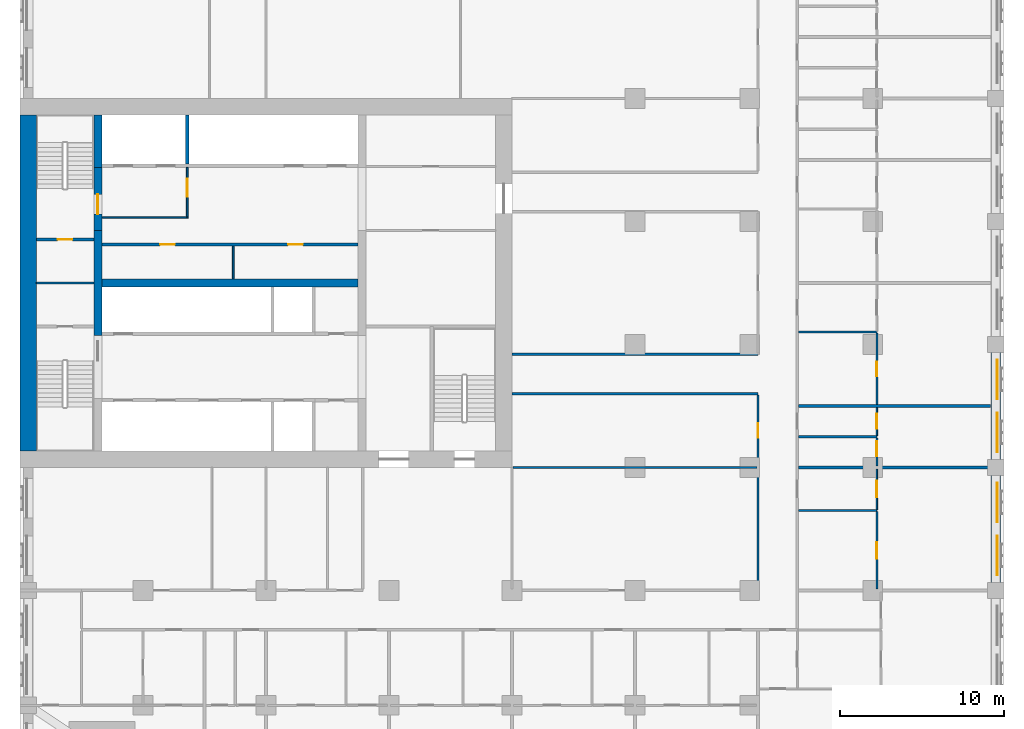
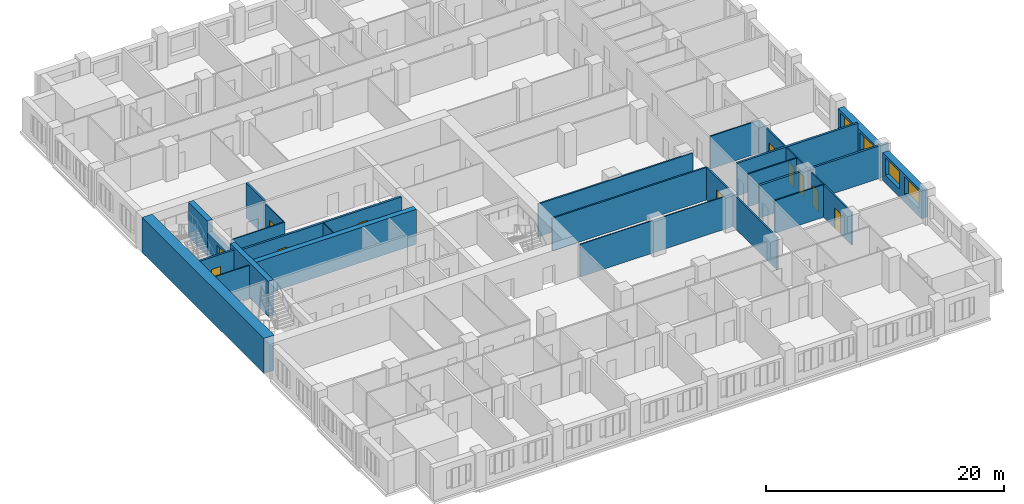
# One storey, part 7 of 14: 28 walls, 11 doors, 4 windows, 15 openings.
"""IFC4 building model written with IfcOpenShell, lengths in metres."""

from ifc_helpers import new_model, si_unit, direction, frame, frame_2d, origin, place, context, subcontext, project, spatial, rectangle, extrude, material, layer, layer_set, type_object, element, fill, save


model = new_model("IFC4")

# Units and contexts
model_context = context("Model", 3, precision=1e-05, world=origin(), true_north=direction((0.0, 1.0)))
body_context = subcontext(model_context, "Body", "Model", "MODEL_VIEW")
ifc_project = project(units=[si_unit("LENGTHUNIT", "METRE"), si_unit("AREAUNIT", "SQUARE_METRE"), si_unit("VOLUMEUNIT", "CUBIC_METRE"), si_unit("PLANEANGLEUNIT", "RADIAN"), si_unit("MASSUNIT", "GRAM", prefix="KILO")], contexts=[model_context])

# Site, building, storey
site_placement = place(None, origin())
site = spatial("IfcSite", under=ifc_project, at=site_placement, CompositionType="ELEMENT")
building_placement = place(site_placement, origin())
building = spatial("IfcBuilding", under=site, at=building_placement, Name="Tamorin Gate", CompositionType="ELEMENT")
storey_placement = place(building_placement, frame((0.0, 0.0, 44.800048828125)))
storey = spatial("IfcBuildingStorey", under=building, at=storey_placement, Name="L09", CompositionType="ELEMENT", Elevation=44.800048828125)

# Wall, openings, windows
ifc_material_1 = material(Name="Precast concrete C40/50", Category="concrete")
ifc_layer_1 = layer(ifc_material_1, 0.60009765625)
ifc_layer_set_1 = layer_set([ifc_layer_1], Name="Precast concrete C40/50")
wall_type_1 = type_object("IfcWallType", Name="Board-marked concrete facade panel 600", PredefinedType="SOLIDWALL", material=ifc_layer_set_1)
wall_1_placement = place(storey_placement, frame((89.5, 53.0, 0.0), z_axis=(0.0, 0.0, 1.0), x_axis=(0.0, 1.0, 0.0)))
wall_1 = element("IfcWall", 1, at=wall_1_placement, inside=storey, type_object=wall_type_1, Name="Facade panel", PredefinedType="SOLIDWALL", context=body_context, shape_type="SweptSolid", body=[
    extrude(rectangle(XDim=6.5, YDim=0.60009765625, at=frame_2d((3.25, 0.0))), origin(), (0.0, 0.0, 1.0), 2.849853515625),
])
opening_1_placement = place(wall_1_placement, frame((0.425048828125, 0.0, 0.800048828125)))
opening_1 = element("IfcOpeningElement", 2, at=opening_1_placement, cuts=wall_1, Name="Opening WN1", PredefinedType="OPENING", context=body_context, shape_type="SweptSolid", body=[
    extrude(rectangle(XDim=2.39990234375, YDim=1.800048828125, at=frame_2d((1.199951171875, 0.89990234375))), frame((0.0, 0.31005859375, 0.0), z_axis=(0.0, -1.0, 0.0), x_axis=(1.0, 0.0, 0.0)), (0.0, 0.0, 1.0), 0.6201171875),
])
opening_2_placement = place(wall_1_placement, frame((3.675048828125, 0.0, 0.800048828125)))
opening_2 = element("IfcOpeningElement", 3, at=opening_2_placement, cuts=wall_1, Name="Opening WN1", PredefinedType="OPENING", context=body_context, shape_type="SweptSolid", body=[
    extrude(rectangle(XDim=2.39990234375, YDim=1.800048828125, at=frame_2d((1.199951171875, 0.89990234375))), frame((0.0, 0.31005859375, 0.0), z_axis=(0.0, -1.0, 0.0), x_axis=(1.0, 0.0, 0.0)), (0.0, 0.0, 1.0), 0.6201171875),
])
ifc_material_2 = material(Name="Clear glass in aluminium frame", Category="aluminium")
window_type = type_object("IfcWindowType", Name="Deep-set window 2400x1800", PartitioningType="SINGLE_PANEL", PredefinedType="WINDOW", material=ifc_material_2)
window_1_placement = place(opening_1_placement, origin())
window_1 = element("IfcWindow", 4, at=window_1_placement, inside=storey, type_object=window_type, Name="Deep-set window", OverallHeight=1.800048828125, OverallWidth=2.39990234375, PartitioningType="SINGLE_PANEL", PredefinedType="WINDOW", context=body_context, shape_type="SweptSolid", body=[
    extrude(rectangle(XDim=2.39990234375, YDim=1.800048828125, at=frame_2d((1.199951171875, 0.89990234375))), frame((0.0, -0.070068359375, 0.0), z_axis=(0.0, -1.0, 0.0), x_axis=(1.0, 0.0, 0.0)), (0.0, 0.0, 1.0), 0.06005859375),
])
fill(opening_1, window_1)
window_2_placement = place(opening_2_placement, origin())
window_2 = element("IfcWindow", 5, at=window_2_placement, inside=storey, type_object=window_type, Name="Deep-set window", OverallHeight=1.800048828125, OverallWidth=2.39990234375, PartitioningType="SINGLE_PANEL", PredefinedType="WINDOW", context=body_context, shape_type="SweptSolid", body=[
    extrude(rectangle(XDim=2.39990234375, YDim=1.800048828125, at=frame_2d((1.199951171875, 0.89990234375))), frame((0.0, -0.070068359375, 0.0), z_axis=(0.0, -1.0, 0.0), x_axis=(1.0, 0.0, 0.0)), (0.0, 0.0, 1.0), 0.06005859375),
])
fill(opening_2, window_2)

wall_2_placement = place(storey_placement, frame((89.5, 60.5, 0.0), z_axis=(0.0, 0.0, 1.0), x_axis=(0.0, 1.0, 0.0)))
wall_2 = element("IfcWall", 6, at=wall_2_placement, inside=storey, type_object=wall_type_1, Name="Facade panel", PredefinedType="SOLIDWALL", context=body_context, shape_type="SweptSolid", body=[
    extrude(rectangle(XDim=6.5, YDim=0.60009765625, at=frame_2d((3.25, 0.0))), origin(), (0.0, 0.0, 1.0), 2.849853515625),
])
opening_3_placement = place(wall_2_placement, frame((0.425048828125, 0.0, 0.800048828125)))
opening_3 = element("IfcOpeningElement", 7, at=opening_3_placement, cuts=wall_2, Name="Opening WN1", PredefinedType="OPENING", context=body_context, shape_type="SweptSolid", body=[
    extrude(rectangle(XDim=2.39990234375, YDim=1.800048828125, at=frame_2d((1.199951171875, 0.89990234375))), frame((0.0, 0.31005859375, 0.0), z_axis=(0.0, -1.0, 0.0), x_axis=(1.0, 0.0, 0.0)), (0.0, 0.0, 1.0), 0.6201171875),
])
opening_4_placement = place(wall_2_placement, frame((3.675048828125, 0.0, 0.800048828125)))
opening_4 = element("IfcOpeningElement", 8, at=opening_4_placement, cuts=wall_2, Name="Opening WN1", PredefinedType="OPENING", context=body_context, shape_type="SweptSolid", body=[
    extrude(rectangle(XDim=2.39990234375, YDim=1.800048828125, at=frame_2d((1.199951171875, 0.89990234375))), frame((0.0, 0.31005859375, 0.0), z_axis=(0.0, -1.0, 0.0), x_axis=(1.0, 0.0, 0.0)), (0.0, 0.0, 1.0), 0.6201171875),
])
window_3_placement = place(opening_3_placement, origin())
window_3 = element("IfcWindow", 9, at=window_3_placement, inside=storey, type_object=window_type, Name="Deep-set window", OverallHeight=1.800048828125, OverallWidth=2.39990234375, PartitioningType="SINGLE_PANEL", PredefinedType="WINDOW", context=body_context, shape_type="SweptSolid", body=[
    extrude(rectangle(XDim=2.39990234375, YDim=1.800048828125, at=frame_2d((1.199951171875, 0.89990234375))), frame((0.0, -0.070068359375, 0.0), z_axis=(0.0, -1.0, 0.0), x_axis=(1.0, 0.0, 0.0)), (0.0, 0.0, 1.0), 0.06005859375),
])
fill(opening_3, window_3)
window_4_placement = place(opening_4_placement, origin())
window_4 = element("IfcWindow", 10, at=window_4_placement, inside=storey, type_object=window_type, Name="Deep-set window", OverallHeight=1.800048828125, OverallWidth=2.39990234375, PartitioningType="SINGLE_PANEL", PredefinedType="WINDOW", context=body_context, shape_type="SweptSolid", body=[
    extrude(rectangle(XDim=2.39990234375, YDim=1.800048828125, at=frame_2d((1.199951171875, 0.89990234375))), frame((0.0, -0.070068359375, 0.0), z_axis=(0.0, -1.0, 0.0), x_axis=(1.0, 0.0, 0.0)), (0.0, 0.0, 1.0), 0.06005859375),
])
fill(opening_4, window_4)

# Wall, opening, door
ifc_material_3 = material(Name="Gypsum board partition")
ifc_layer_2 = layer(ifc_material_3, 0.14990234375)
ifc_layer_set_2 = layer_set([ifc_layer_2], Name="Corridor wall 150")
wall_type_2 = type_object("IfcWallType", Name="Corridor wall 150", PredefinedType="PARTITIONING", material=ifc_layer_set_2)
wall_3_placement = place(storey_placement, frame((75.0, 52.574951171875, 0.0), z_axis=(0.0, 0.0, 1.0), x_axis=(0.0, 1.0, 0.0)))
wall_3 = element("IfcWall", 11, at=wall_3_placement, inside=storey, type_object=wall_type_2, Name="Corridor wall 150", PredefinedType="PARTITIONING", context=body_context, shape_type="SweptSolid", body=[
    extrude(rectangle(XDim=11.85009765625, YDim=0.14990234375, at=frame_2d((5.925048828125, 0.0))), origin(), (0.0, 0.0, 1.0), 3.349853515625),
])
opening_5_placement = place(wall_3_placement, frame((9.22509765625, 0.0, 0.0)))
opening_5 = element("IfcOpeningElement", 12, at=opening_5_placement, cuts=wall_3, Name="Opening DH4081", PredefinedType="OPENING", context=body_context, shape_type="SweptSolid", body=[
    extrude(rectangle(XDim=0.89990234375, YDim=2.10009765625, at=frame_2d((0.449951171875, 1.050048828125))), frame((0.0, 0.0849609375, 0.0), z_axis=(0.0, -1.0, 0.0), x_axis=(1.0, 0.0, 0.0)), (0.0, 0.0, 1.0), 0.169921875),
])
ifc_material_4 = material(Name="Timber door leaf", Category="wood")
door_type_1 = type_object("IfcDoorType", Name="Door 900 x 2100 FD30S", OperationType="NOTDEFINED", PredefinedType="DOOR", material=ifc_material_4)
door_1_placement = place(opening_5_placement, origin())
door_1 = element("IfcDoor", 13, at=door_1_placement, inside=storey, type_object=door_type_1, Name="Door DH4081", OperationType="SINGLE_SWING_LEFT", OverallHeight=2.10009765625, OverallWidth=0.89990234375, PredefinedType="DOOR", context=body_context, shape_type="SweptSolid", body=[
    extrude(rectangle(XDim=0.89990234375, YDim=2.10009765625, at=frame_2d((0.449951171875, 1.050048828125))), frame((0.0, 0.02490234375, 0.0), z_axis=(0.0, -1.0, 0.0), x_axis=(1.0, 0.0, 0.0)), (0.0, 0.0, 1.0), 0.050048828125),
])
fill(opening_5, door_1)

# Walls
ifc_layer_3 = layer(ifc_material_3, 0.199951171875)
ifc_layer_set_3 = layer_set([ifc_layer_3], Name="Demising wall 200")
wall_type_3 = type_object("IfcWallType", Name="Demising wall 200", PredefinedType="PARTITIONING", material=ifc_layer_set_3)
wall_4_placement = place(storey_placement, frame((77.47509765625, 60.0, 0.0), z_axis=(0.0, 0.0, 1.0), x_axis=(1.0, 0.0, 0.0)))
element("IfcWall", 14, at=wall_4_placement, inside=storey, type_object=wall_type_3, Name="Demising wall 200", PredefinedType="PARTITIONING", context=body_context, shape_type="SweptSolid", body=[
    extrude(rectangle(XDim=12.52490234375, YDim=0.199951171875, at=frame_2d((6.262451171875, 0.0))), origin(), (0.0, 0.0, 1.0), 3.349853515625),
])
wall_5_placement = place(storey_placement, frame((77.47509765625, 63.75, 0.0), z_axis=(0.0, 0.0, 1.0), x_axis=(1.0, 0.0, 0.0)))
element("IfcWall", 15, at=wall_5_placement, inside=storey, type_object=wall_type_3, Name="Demising wall 200", PredefinedType="PARTITIONING", context=body_context, shape_type="SweptSolid", body=[
    extrude(rectangle(XDim=11.71484375, YDim=0.199951171875, at=frame_2d((5.857421875, 0.0))), origin(), (0.0, 0.0, 1.0), 3.349853515625),
])
ifc_material_5 = material(Name="Concrete C32/40", Category="concrete")
ifc_layer_4 = layer(ifc_material_5, 0.199951171875)
ifc_layer_set_4 = layer_set([ifc_layer_4], Name="Lift shaft wall 200 EI 120")
wall_type_4 = type_object("IfcWallType", Name="Lift shaft wall 200 EI 120", PredefinedType="SOLIDWALL", material=ifc_layer_set_4)
wall_6_placement = place(storey_placement, frame((40.199951171875, 78.5, 0.0), z_axis=(0.0, 0.0, 1.0), x_axis=(0.0, 1.0, 0.0)))
element("IfcWall", 16, at=wall_6_placement, inside=storey, type_object=wall_type_4, Name="Lift shaft wall", PredefinedType="SOLIDWALL", context=body_context, shape_type="SweptSolid", body=[
    extrude(rectangle(XDim=3.0, YDim=0.199951171875, at=frame_2d((1.5, 0.0))), origin(), (0.0, 0.0, 1.0), 3.599853515625),
])
ifc_material_6 = material(Name="Fire-rated gypsum board partition")
ifc_layer_5 = layer(ifc_material_6, 0.10009765625)
ifc_layer_set_5 = layer_set([ifc_layer_5], Name="Lobby wall 100 EI 60")
wall_type_5 = type_object("IfcWallType", Name="Lobby wall 100 EI 60", PredefinedType="PARTITIONING", material=ifc_layer_set_5)
wall_7_placement = place(storey_placement, frame((35.0, 75.25, 0.0), z_axis=(0.0, 0.0, 1.0), x_axis=(1.0, 0.0, 0.0)))
element("IfcWall", 17, at=wall_7_placement, inside=storey, type_object=wall_type_5, Name="Firefighting lobby wall", PredefinedType="PARTITIONING", context=body_context, shape_type="SweptSolid", body=[
    extrude(rectangle(XDim=5.25, YDim=0.10009765625, at=frame_2d((2.625, 0.0))), origin(), (0.0, 0.0, 1.0), 3.349853515625),
])

# Wall, opening, door
wall_8_placement = place(storey_placement, frame((40.199951171875, 75.300048828125, 0.0), z_axis=(0.0, 0.0, 1.0), x_axis=(0.0, 1.0, 0.0)))
wall_8 = element("IfcWall", 18, at=wall_8_placement, inside=storey, type_object=wall_type_5, Name="Firefighting lobby wall", PredefinedType="PARTITIONING", context=body_context, shape_type="SweptSolid", body=[
    extrude(rectangle(XDim=3.0, YDim=0.10009765625, at=frame_2d((1.5, 0.0))), origin(), (0.0, 0.0, 1.0), 3.349853515625),
])
opening_6_placement = place(wall_8_placement, frame((1.199951171875, 0.0, 0.0)))
opening_6 = element("IfcOpeningElement", 19, at=opening_6_placement, cuts=wall_8, Name="Opening DF1", PredefinedType="OPENING", context=body_context, shape_type="SweptSolid", body=[
    extrude(rectangle(XDim=1.10009765625, YDim=2.10009765625, at=frame_2d((0.550048828125, 1.050048828125))), frame((0.0, 0.06005859375, 0.0), z_axis=(0.0, -1.0, 0.0), x_axis=(1.0, 0.0, 0.0)), (0.0, 0.0, 1.0), 0.1201171875),
])
ifc_material_7 = material(Name="Steel fire door", Category="steel")
door_type_2 = type_object("IfcDoorType", Name="Firefighting lobby door 1100 x 2100 EI 90", OperationType="SINGLE_SWING_LEFT", PredefinedType="DOOR", material=ifc_material_7)
door_2_placement = place(opening_6_placement, origin())
door_2 = element("IfcDoor", 20, at=door_2_placement, inside=storey, type_object=door_type_2, Name="Firefighting lobby door", OperationType="SINGLE_SWING_LEFT", OverallHeight=2.10009765625, OverallWidth=1.10009765625, PredefinedType="DOOR", context=body_context, shape_type="SweptSolid", body=[
    extrude(rectangle(XDim=1.10009765625, YDim=2.10009765625, at=frame_2d((0.550048828125, 1.050048828125))), frame((0.0, 0.02490234375, 0.0), z_axis=(0.0, -1.0, 0.0), x_axis=(1.0, 0.0, 0.0)), (0.0, 0.0, 1.0), 0.050048828125),
])
fill(opening_6, door_2)

# Walls
ifc_layer_6 = layer(ifc_material_3, 0.14990234375)
ifc_layer_set_6 = layer_set([ifc_layer_6], Name="Lobby wall 150")
wall_type_6 = type_object("IfcWallType", Name="Lobby wall 150", PredefinedType="PARTITIONING", material=ifc_layer_set_6)
for number, where, z_axis, x_axis, name in (
    (21, (60.0, 64.5, 0.0), (0.0, 0.0, 1.0), (1.0, 0.0, 0.0), "Lobby wall 150"),
    (22, (60.0, 66.89990234375, 0.0), (0.0, 0.0, 1.0), (1.0, 0.0, 0.0), "Lobby wall 150"),
):
    element("IfcWall", number, at=place(storey_placement, frame(where, z_axis=z_axis, x_axis=x_axis)), inside=storey, type_object=wall_type_6, Name=name, PredefinedType="PARTITIONING", context=body_context, shape_type="SweptSolid", body=[
        extrude(rectangle(XDim=15.0, YDim=0.14990234375, at=frame_2d((7.5, 0.0))), origin(), (0.0, 0.0, 1.0), 3.349853515625),
    ])
ifc_material_8 = material(Name="Concrete C80/95", Category="concrete")
ifc_layer_7 = layer(ifc_material_8, 0.5)
ifc_layer_set_7 = layer_set([ifc_layer_7], Name="RC core internal wall 500 C80/95")
wall_type_7 = type_object("IfcWallType", Name="RC core internal wall 500 C80/95", PredefinedType="SHEAR", material=ifc_layer_set_7)
wall_9_placement = place(storey_placement, frame((35.0, 71.25, 0.0), z_axis=(0.0, 0.0, 1.0), x_axis=(1.0, 0.0, 0.0)))
element("IfcWall", 23, at=wall_9_placement, inside=storey, type_object=wall_type_7, Name="Core spine wall L09", PredefinedType="SHEAR", context=body_context, shape_type="SweptSolid", body=[
    extrude(rectangle(XDim=15.60009765625, YDim=0.5, at=frame_2d((7.800048828125, 0.0))), origin(), (0.0, 0.0, 1.0), 3.599853515625),
])
wall_10_placement = place(storey_placement, frame((34.75, 68.050048828125, 0.0), z_axis=(0.0, 0.0, 1.0), x_axis=(0.0, 1.0, 0.0)))
element("IfcWall", 24, at=wall_10_placement, inside=storey, type_object=wall_type_7, Name="Core cross wall L09", PredefinedType="SHEAR", context=body_context, shape_type="SweptSolid", body=[
    extrude(rectangle(XDim=6.39990234375, YDim=0.5, at=frame_2d((3.199951171875, 0.0))), origin(), (0.0, 0.0, 1.0), 3.599853515625),
])
wall_11_placement = place(storey_placement, frame((34.75, 78.300048828125, 0.0), z_axis=(0.0, 0.0, 1.0), x_axis=(0.0, 1.0, 0.0)))
element("IfcWall", 25, at=wall_11_placement, inside=storey, type_object=wall_type_7, Name="Core cross wall L09", PredefinedType="SHEAR", context=body_context, shape_type="SweptSolid", body=[
    extrude(rectangle(XDim=3.199951171875, YDim=0.5, at=frame_2d((1.60009765625, 0.0))), origin(), (0.0, 0.0, 1.0), 3.599853515625),
])
ifc_layer_8 = layer(ifc_material_8, 1.0)
ifc_layer_set_8 = layer_set([ifc_layer_8], Name="RC core wall 1000 C80/95")
wall_type_8 = type_object("IfcWallType", Name="RC core wall 1000 C80/95", PredefinedType="SHEAR", material=ifc_layer_set_8)
wall_12_placement = place(storey_placement, frame((30.5, 61.0, 0.0), z_axis=(0.0, 0.0, 1.0), x_axis=(0.0, 1.0, 0.0)))
element("IfcWall", 26, at=wall_12_placement, inside=storey, type_object=wall_type_8, Name="Core wall L09", PredefinedType="SHEAR", context=body_context, shape_type="SweptSolid", body=[
    extrude(rectangle(XDim=20.5, YDim=1.0, at=frame_2d((10.25, 0.0))), origin(), (0.0, 0.0, 1.0), 3.599853515625),
])
ifc_layer_9 = layer(ifc_material_6, 0.10009765625)
ifc_layer_set_9 = layer_set([ifc_layer_9], Name="Riser partition 100 EI 120")
wall_type_9 = type_object("IfcWallType", Name="Riser partition 100 EI 120", PredefinedType="PARTITIONING", material=ifc_layer_set_9)
wall_13_placement = place(storey_placement, frame((31.0, 71.25, 0.0), z_axis=(0.0, 0.0, 1.0), x_axis=(1.0, 0.0, 0.0)))
element("IfcWall", 27, at=wall_13_placement, inside=storey, type_object=wall_type_9, Name="Riser partition", PredefinedType="PARTITIONING", context=body_context, shape_type="SweptSolid", body=[
    extrude(rectangle(XDim=3.5, YDim=0.10009765625, at=frame_2d((1.75, 0.0))), origin(), (0.0, 0.0, 1.0), 3.349853515625),
])
ifc_layer_10 = layer(ifc_material_3, 0.10009765625)
ifc_layer_set_10 = layer_set([ifc_layer_10], Name="Room partition 100")
wall_type_10 = type_object("IfcWallType", Name="Room partition 100", PredefinedType="PARTITIONING", material=ifc_layer_set_10)
wall_14_placement = place(storey_placement, frame((60.074951171875, 60.0, 0.0), z_axis=(0.0, 0.0, 1.0), x_axis=(1.0, 0.0, 0.0)))
element("IfcWall", 28, at=wall_14_placement, inside=storey, type_object=wall_type_10, Name="Room partition 100", PredefinedType="PARTITIONING", context=body_context, shape_type="SweptSolid", body=[
    extrude(rectangle(XDim=14.85009765625, YDim=0.10009765625, at=frame_2d((7.425048828125, 0.0))), origin(), (0.0, 0.0, 1.0), 3.349853515625),
])

# Wall, opening, door
wall_15_placement = place(storey_placement, frame((82.25, 57.4375, 0.0), z_axis=(0.0, 0.0, 1.0), x_axis=(0.0, 1.0, 0.0)))
wall_15 = element("IfcWall", 29, at=wall_15_placement, inside=storey, type_object=wall_type_10, Name="Room partition 100", PredefinedType="PARTITIONING", context=body_context, shape_type="SweptSolid", body=[
    extrude(rectangle(XDim=2.46240234375, YDim=0.10009765625, at=frame_2d((1.231201171875, 0.0))), origin(), (0.0, 0.0, 1.0), 3.349853515625),
])
opening_7_placement = place(wall_15_placement, frame((0.75, 0.0, 0.0)))
opening_7 = element("IfcOpeningElement", 30, at=opening_7_placement, cuts=wall_15, Name="Opening DH4041", PredefinedType="OPENING", context=body_context, shape_type="SweptSolid", body=[
    extrude(rectangle(XDim=1.0, YDim=2.10009765625, at=frame_2d((0.5, 1.050048828125))), frame((0.0, 0.06005859375, 0.0), z_axis=(0.0, -1.0, 0.0), x_axis=(1.0, 0.0, 0.0)), (0.0, 0.0, 1.0), 0.1201171875),
])
door_type_3 = type_object("IfcDoorType", Name="Door 1000 x 2100", OperationType="NOTDEFINED", PredefinedType="DOOR", material=ifc_material_4)
door_3_placement = place(opening_7_placement, origin())
door_3 = element("IfcDoor", 31, at=door_3_placement, inside=storey, type_object=door_type_3, Name="Door DH4041", OperationType="SINGLE_SWING_LEFT", OverallHeight=2.10009765625, OverallWidth=1.0, PredefinedType="DOOR", context=body_context, shape_type="SweptSolid", body=[
    extrude(rectangle(XDim=1.0, YDim=2.10009765625, at=frame_2d((0.5, 1.050048828125))), frame((0.0, 0.02490234375, 0.0), z_axis=(0.0, -1.0, 0.0), x_axis=(1.0, 0.0, 0.0)), (0.0, 0.0, 1.0), 0.050048828125),
])
fill(opening_7, door_3)

wall_16_placement = place(storey_placement, frame((82.25, 61.9375, 0.0), z_axis=(0.0, 0.0, 1.0), x_axis=(0.0, 1.0, 0.0)))
wall_16 = element("IfcWall", 32, at=wall_16_placement, inside=storey, type_object=wall_type_10, Name="Room partition 100", PredefinedType="PARTITIONING", context=body_context, shape_type="SweptSolid", body=[
    extrude(rectangle(XDim=1.71240234375, YDim=0.10009765625, at=frame_2d((0.856201171875, 0.0))), origin(), (0.0, 0.0, 1.0), 3.349853515625),
])
opening_8_placement = place(wall_16_placement, frame((0.425048828125, 0.0, 0.0)))
opening_8 = element("IfcOpeningElement", 33, at=opening_8_placement, cuts=wall_16, Name="Opening DH4044", PredefinedType="OPENING", context=body_context, shape_type="SweptSolid", body=[
    extrude(rectangle(XDim=0.89990234375, YDim=2.10009765625, at=frame_2d((0.449951171875, 1.050048828125))), frame((0.0, 0.06005859375, 0.0), z_axis=(0.0, -1.0, 0.0), x_axis=(1.0, 0.0, 0.0)), (0.0, 0.0, 1.0), 0.1201171875),
])
door_type_4 = type_object("IfcDoorType", Name="Door 900 x 2100", OperationType="NOTDEFINED", PredefinedType="DOOR", material=ifc_material_4)
door_4_placement = place(opening_8_placement, origin())
door_4 = element("IfcDoor", 34, at=door_4_placement, inside=storey, type_object=door_type_4, Name="Door DH4044", OperationType="SINGLE_SWING_LEFT", OverallHeight=2.10009765625, OverallWidth=0.89990234375, PredefinedType="DOOR", context=body_context, shape_type="SweptSolid", body=[
    extrude(rectangle(XDim=0.89990234375, YDim=2.10009765625, at=frame_2d((0.449951171875, 1.050048828125))), frame((0.0, 0.02490234375, 0.0), z_axis=(0.0, -1.0, 0.0), x_axis=(1.0, 0.0, 0.0)), (0.0, 0.0, 1.0), 0.050048828125),
])
fill(opening_8, door_4)

# Wall, openings, doors
ifc_layer_11 = layer(ifc_material_3, 0.199951171875)
ifc_layer_set_11 = layer_set([ifc_layer_11], Name="Service room face wall 200 EI 60")
wall_type_11 = type_object("IfcWallType", Name="Service room face wall 200 EI 60", PredefinedType="PARTITIONING", material=ifc_layer_set_11)
wall_17_placement = place(storey_placement, frame((35.0, 73.60009765625, 0.0), z_axis=(0.0, 0.0, 1.0), x_axis=(1.0, 0.0, 0.0)))
wall_17 = element("IfcWall", 35, at=wall_17_placement, inside=storey, type_object=wall_type_11, Name="Service room face wall", PredefinedType="PARTITIONING", context=body_context, shape_type="SweptSolid", body=[
    extrude(rectangle(XDim=15.60009765625, YDim=0.199951171875, at=frame_2d((7.800048828125, 0.0))), origin(), (0.0, 0.0, 1.0), 3.349853515625),
])
opening_9_placement = place(wall_17_placement, frame((3.550048828125, 0.0, 0.0)))
opening_9 = element("IfcOpeningElement", 36, at=opening_9_placement, cuts=wall_17, Name="Opening DK1", PredefinedType="OPENING", context=body_context, shape_type="SweptSolid", body=[
    extrude(rectangle(XDim=0.89990234375, YDim=2.10009765625, at=frame_2d((0.449951171875, 1.050048828125))), frame((0.0, 0.10986328125, 0.0), z_axis=(0.0, -1.0, 0.0), x_axis=(1.0, 0.0, 0.0)), (0.0, 0.0, 1.0), 0.219970703125),
])
opening_10_placement = place(wall_17_placement, frame((11.35009765625, 0.0, 0.0)))
opening_10 = element("IfcOpeningElement", 37, at=opening_10_placement, cuts=wall_17, Name="Opening DK1", PredefinedType="OPENING", context=body_context, shape_type="SweptSolid", body=[
    extrude(rectangle(XDim=0.89990234375, YDim=2.10009765625, at=frame_2d((0.449951171875, 1.050048828125))), frame((0.0, 0.10986328125, 0.0), z_axis=(0.0, -1.0, 0.0), x_axis=(1.0, 0.0, 0.0)), (0.0, 0.0, 1.0), 0.219970703125),
])
ifc_material_9 = material(Name="Timber fire door", Category="wood")
door_type_5 = type_object("IfcDoorType", Name="Service room door 900 x 2100 EI 60", OperationType="SINGLE_SWING_LEFT", PredefinedType="DOOR", material=ifc_material_9)
door_5_placement = place(opening_9_placement, origin())
door_5 = element("IfcDoor", 38, at=door_5_placement, inside=storey, type_object=door_type_5, Name="Door Linen store", OperationType="SINGLE_SWING_LEFT", OverallHeight=2.10009765625, OverallWidth=0.89990234375, PredefinedType="DOOR", context=body_context, shape_type="SweptSolid", body=[
    extrude(rectangle(XDim=0.89990234375, YDim=2.10009765625, at=frame_2d((0.449951171875, 1.050048828125))), frame((0.0, 0.02490234375, 0.0), z_axis=(0.0, -1.0, 0.0), x_axis=(1.0, 0.0, 0.0)), (0.0, 0.0, 1.0), 0.050048828125),
])
fill(opening_9, door_5)
door_6_placement = place(opening_10_placement, origin())
door_6 = element("IfcDoor", 39, at=door_6_placement, inside=storey, type_object=door_type_5, Name="Door Cleaner's store", OperationType="SINGLE_SWING_RIGHT", OverallHeight=2.10009765625, OverallWidth=0.89990234375, PredefinedType="DOOR", context=body_context, shape_type="SweptSolid", body=[
    extrude(rectangle(XDim=0.89990234375, YDim=2.10009765625, at=frame_2d((0.449951171875, 1.050048828125))), frame((0.0, 0.02490234375, 0.0), z_axis=(0.0, -1.0, 0.0), x_axis=(1.0, 0.0, 0.0)), (0.0, 0.0, 1.0), 0.050048828125),
])
fill(opening_10, door_6)

# Wall
ifc_layer_12 = layer(ifc_material_3, 0.10009765625)
ifc_layer_set_12 = layer_set([ifc_layer_12], Name="Service room partition 100 EI 60")
wall_type_12 = type_object("IfcWallType", Name="Service room partition 100 EI 60", PredefinedType="PARTITIONING", material=ifc_layer_set_12)
wall_18_placement = place(storey_placement, frame((43.0, 71.5, 0.0), z_axis=(0.0, 0.0, 1.0), x_axis=(0.0, 1.0, 0.0)))
element("IfcWall", 40, at=wall_18_placement, inside=storey, type_object=wall_type_12, Name="Service room partition", PredefinedType="PARTITIONING", context=body_context, shape_type="SweptSolid", body=[
    extrude(rectangle(XDim=2.0, YDim=0.10009765625, at=frame_2d((1.0, 0.0))), origin(), (0.0, 0.0, 1.0), 3.349853515625),
])

# Wall, opening, door
ifc_material_10 = material(Name="Concrete C40/50", Category="concrete")
ifc_layer_13 = layer(ifc_material_10, 0.199951171875)
ifc_layer_set_13 = layer_set([ifc_layer_13], Name="Stair enclosure wall 200 EI 120 C40/50")
wall_type_13 = type_object("IfcWallType", Name="Stair enclosure wall 200 EI 120 C40/50", PredefinedType="SOLIDWALL", material=ifc_layer_set_13)
wall_19_placement = place(storey_placement, frame((31.0, 73.89990234375, 0.0), z_axis=(0.0, 0.0, 1.0), x_axis=(1.0, 0.0, 0.0)))
wall_19 = element("IfcWall", 41, at=wall_19_placement, inside=storey, type_object=wall_type_13, Name="Stair enclosure wall", PredefinedType="SOLIDWALL", context=body_context, shape_type="SweptSolid", body=[
    extrude(rectangle(XDim=3.5, YDim=0.199951171875, at=frame_2d((1.75, 0.0))), origin(), (0.0, 0.0, 1.0), 3.349853515625),
])
opening_11_placement = place(wall_19_placement, frame((1.300048828125, 0.0, 0.0)))
opening_11 = element("IfcOpeningElement", 42, at=opening_11_placement, cuts=wall_19, Name="Opening DR1", PredefinedType="OPENING", context=body_context, shape_type="SweptSolid", body=[
    extrude(rectangle(XDim=0.89990234375, YDim=2.10009765625, at=frame_2d((0.449951171875, 1.050048828125))), frame((0.0, 0.10986328125, 0.0), z_axis=(0.0, -1.0, 0.0), x_axis=(1.0, 0.0, 0.0)), (0.0, 0.0, 1.0), 0.219970703125),
])
door_type_6 = type_object("IfcDoorType", Name="Riser access door 900 x 2100 EI 120", OperationType="SINGLE_SWING_LEFT", PredefinedType="DOOR", material=ifc_material_7)
door_7_placement = place(opening_11_placement, origin())
door_7 = element("IfcDoor", 43, at=door_7_placement, inside=storey, type_object=door_type_6, Name="Communications riser door", OperationType="SINGLE_SWING_RIGHT", OverallHeight=2.10009765625, OverallWidth=0.89990234375, PredefinedType="DOOR", context=body_context, shape_type="SweptSolid", body=[
    extrude(rectangle(XDim=0.89990234375, YDim=2.10009765625, at=frame_2d((0.449951171875, 1.050048828125))), frame((0.0, 0.02490234375, 0.0), z_axis=(0.0, -1.0, 0.0), x_axis=(1.0, 0.0, 0.0)), (0.0, 0.0, 1.0), 0.050048828125),
])
fill(opening_11, door_7)

ifc_layer_14 = layer(ifc_material_5, 0.5)
ifc_layer_set_14 = layer_set([ifc_layer_14], Name="Stair lobby infill wall 500 EI 120")
wall_type_14 = type_object("IfcWallType", Name="Stair lobby infill wall 500 EI 120", PredefinedType="SOLIDWALL", material=ifc_layer_set_14)
wall_20_placement = place(storey_placement, frame((34.75, 74.449951171875, 0.0), z_axis=(0.0, 0.0, 1.0), x_axis=(0.0, 1.0, 0.0)))
wall_20 = element("IfcWall", 44, at=wall_20_placement, inside=storey, type_object=wall_type_14, Name="Stair lobby infill wall", PredefinedType="SOLIDWALL", context=body_context, shape_type="SweptSolid", body=[
    extrude(rectangle(XDim=3.85009765625, YDim=0.5, at=frame_2d((1.925048828125, 0.0))), origin(), (0.0, 0.0, 1.0), 2.39990234375),
])
opening_12_placement = place(wall_20_placement, frame((1.0, 0.0, 0.0)))
opening_12 = element("IfcOpeningElement", 45, at=opening_12_placement, cuts=wall_20, Name="Opening DS1", PredefinedType="OPENING", context=body_context, shape_type="SweptSolid", body=[
    extrude(rectangle(XDim=1.199951171875, YDim=2.10009765625, at=frame_2d((0.60009765625, 1.050048828125))), frame((0.0, 0.260009765625, 0.0), z_axis=(0.0, -1.0, 0.0), x_axis=(1.0, 0.0, 0.0)), (0.0, 0.0, 1.0), 0.52001953125),
])
door_type_7 = type_object("IfcDoorType", Name="Stair door 1200 x 2100 EI 90", OperationType="SINGLE_SWING_LEFT", PredefinedType="DOOR", material=ifc_material_7)
door_8_placement = place(opening_12_placement, origin())
door_8 = element("IfcDoor", 46, at=door_8_placement, inside=storey, type_object=door_type_7, Name="ST2 door", OperationType="SINGLE_SWING_RIGHT", OverallHeight=2.10009765625, OverallWidth=1.199951171875, PredefinedType="DOOR", context=body_context, shape_type="SweptSolid", body=[
    extrude(rectangle(XDim=1.199951171875, YDim=2.10009765625, at=frame_2d((0.60009765625, 1.050048828125))), frame((0.0, 0.02490234375, 0.0), z_axis=(0.0, -1.0, 0.0), x_axis=(1.0, 0.0, 0.0)), (0.0, 0.0, 1.0), 0.050048828125),
])
fill(opening_12, door_8)

# Walls
ifc_layer_15 = layer(ifc_material_3, 0.125)
ifc_layer_set_15 = layer_set([ifc_layer_15], Name="Wet wall 125")
wall_type_15 = type_object("IfcWallType", Name="Wet wall 125", PredefinedType="PARTITIONING", material=ifc_layer_set_15)
for number, where, z_axis, x_axis, name in (
    (47, (77.47509765625, 57.375, 0.0), (0.0, 0.0, 1.0), (1.0, 0.0, 0.0), "Wet wall 125"),
    (48, (77.47509765625, 61.875, 0.0), (0.0, 0.0, 1.0), (1.0, 0.0, 0.0), "Wet wall 125"),
    (49, (77.47509765625, 68.25, 0.0), (0.0, 0.0, 1.0), (1.0, 0.0, 0.0), "Wet wall 125"),
):
    element("IfcWall", number, at=place(storey_placement, frame(where, z_axis=z_axis, x_axis=x_axis)), inside=storey, type_object=wall_type_15, Name=name, PredefinedType="PARTITIONING", context=body_context, shape_type="SweptSolid", body=[
        extrude(rectangle(XDim=4.77490234375, YDim=0.125, at=frame_2d((2.387451171875, 0.0))), origin(), (0.0, 0.0, 1.0), 3.349853515625),
    ])

# Wall, opening, door
wall_21_placement = place(storey_placement, frame((82.25, 52.60009765625, 0.0), z_axis=(0.0, 0.0, 1.0), x_axis=(0.0, 1.0, 0.0)))
wall_21 = element("IfcWall", 50, at=wall_21_placement, inside=storey, type_object=wall_type_15, Name="Wet wall 125", PredefinedType="PARTITIONING", context=body_context, shape_type="SweptSolid", body=[
    extrude(rectangle(XDim=4.71240234375, YDim=0.125, at=frame_2d((2.356201171875, 0.0))), origin(), (0.0, 0.0, 1.0), 3.349853515625),
])
opening_13_placement = place(wall_21_placement, frame((1.83740234375, 0.0, 0.0)))
opening_13 = element("IfcOpeningElement", 51, at=opening_13_placement, cuts=wall_21, Name="Opening DH4039", PredefinedType="OPENING", context=body_context, shape_type="SweptSolid", body=[
    extrude(rectangle(XDim=1.0, YDim=2.10009765625, at=frame_2d((0.5, 1.050048828125))), frame((0.0, 0.072509765625, 0.0), z_axis=(0.0, -1.0, 0.0), x_axis=(1.0, 0.0, 0.0)), (0.0, 0.0, 1.0), 0.14501953125),
])
door_9_placement = place(opening_13_placement, origin())
door_9 = element("IfcDoor", 52, at=door_9_placement, inside=storey, type_object=door_type_3, Name="Door DH4039", OperationType="SINGLE_SWING_LEFT", OverallHeight=2.10009765625, OverallWidth=1.0, PredefinedType="DOOR", context=body_context, shape_type="SweptSolid", body=[
    extrude(rectangle(XDim=1.0, YDim=2.10009765625, at=frame_2d((0.5, 1.050048828125))), frame((0.0, 0.02490234375, 0.0), z_axis=(0.0, -1.0, 0.0), x_axis=(1.0, 0.0, 0.0)), (0.0, 0.0, 1.0), 0.050048828125),
])
fill(opening_13, door_9)

wall_22_placement = place(storey_placement, frame((82.25, 60.10009765625, 0.0), z_axis=(0.0, 0.0, 1.0), x_axis=(0.0, 1.0, 0.0)))
wall_22 = element("IfcWall", 53, at=wall_22_placement, inside=storey, type_object=wall_type_15, Name="Wet wall 125", PredefinedType="PARTITIONING", context=body_context, shape_type="SweptSolid", body=[
    extrude(rectangle(XDim=1.71240234375, YDim=0.125, at=frame_2d((0.856201171875, 0.0))), origin(), (0.0, 0.0, 1.0), 3.349853515625),
])
opening_14_placement = place(wall_22_placement, frame((0.58740234375, 0.0, 0.0)))
opening_14 = element("IfcOpeningElement", 54, at=opening_14_placement, cuts=wall_22, Name="Opening DH4042", PredefinedType="OPENING", context=body_context, shape_type="SweptSolid", body=[
    extrude(rectangle(XDim=0.89990234375, YDim=2.10009765625, at=frame_2d((0.449951171875, 1.050048828125))), frame((0.0, 0.072509765625, 0.0), z_axis=(0.0, -1.0, 0.0), x_axis=(1.0, 0.0, 0.0)), (0.0, 0.0, 1.0), 0.14501953125),
])
door_10_placement = place(opening_14_placement, origin())
door_10 = element("IfcDoor", 55, at=door_10_placement, inside=storey, type_object=door_type_4, Name="Door DH4042", OperationType="SINGLE_SWING_RIGHT", OverallHeight=2.10009765625, OverallWidth=0.89990234375, PredefinedType="DOOR", context=body_context, shape_type="SweptSolid", body=[
    extrude(rectangle(XDim=0.89990234375, YDim=2.10009765625, at=frame_2d((0.449951171875, 1.050048828125))), frame((0.0, 0.02490234375, 0.0), z_axis=(0.0, -1.0, 0.0), x_axis=(1.0, 0.0, 0.0)), (0.0, 0.0, 1.0), 0.050048828125),
])
fill(opening_14, door_10)

wall_23_placement = place(storey_placement, frame((82.25, 63.85009765625, 0.0), z_axis=(0.0, 0.0, 1.0), x_axis=(0.0, 1.0, 0.0)))
wall_23 = element("IfcWall", 56, at=wall_23_placement, inside=storey, type_object=wall_type_15, Name="Wet wall 125", PredefinedType="PARTITIONING", context=body_context, shape_type="SweptSolid", body=[
    extrude(rectangle(XDim=4.33740234375, YDim=0.125, at=frame_2d((2.168701171875, 0.0))), origin(), (0.0, 0.0, 1.0), 3.349853515625),
])
opening_15_placement = place(wall_23_placement, frame((1.699951171875, 0.0, 0.0)))
opening_15 = element("IfcOpeningElement", 57, at=opening_15_placement, cuts=wall_23, Name="Opening DH4045", PredefinedType="OPENING", context=body_context, shape_type="SweptSolid", body=[
    extrude(rectangle(XDim=0.89990234375, YDim=2.10009765625, at=frame_2d((0.449951171875, 1.050048828125))), frame((0.0, 0.072509765625, 0.0), z_axis=(0.0, -1.0, 0.0), x_axis=(1.0, 0.0, 0.0)), (0.0, 0.0, 1.0), 0.14501953125),
])
door_11_placement = place(opening_15_placement, origin())
door_11 = element("IfcDoor", 58, at=door_11_placement, inside=storey, type_object=door_type_4, Name="Door DH4045", OperationType="SINGLE_SWING_LEFT", OverallHeight=2.10009765625, OverallWidth=0.89990234375, PredefinedType="DOOR", context=body_context, shape_type="SweptSolid", body=[
    extrude(rectangle(XDim=0.89990234375, YDim=2.10009765625, at=frame_2d((0.449951171875, 1.050048828125))), frame((0.0, 0.02490234375, 0.0), z_axis=(0.0, -1.0, 0.0), x_axis=(1.0, 0.0, 0.0)), (0.0, 0.0, 1.0), 0.050048828125),
])
fill(opening_15, door_11)

save(model, "model.ifc")
